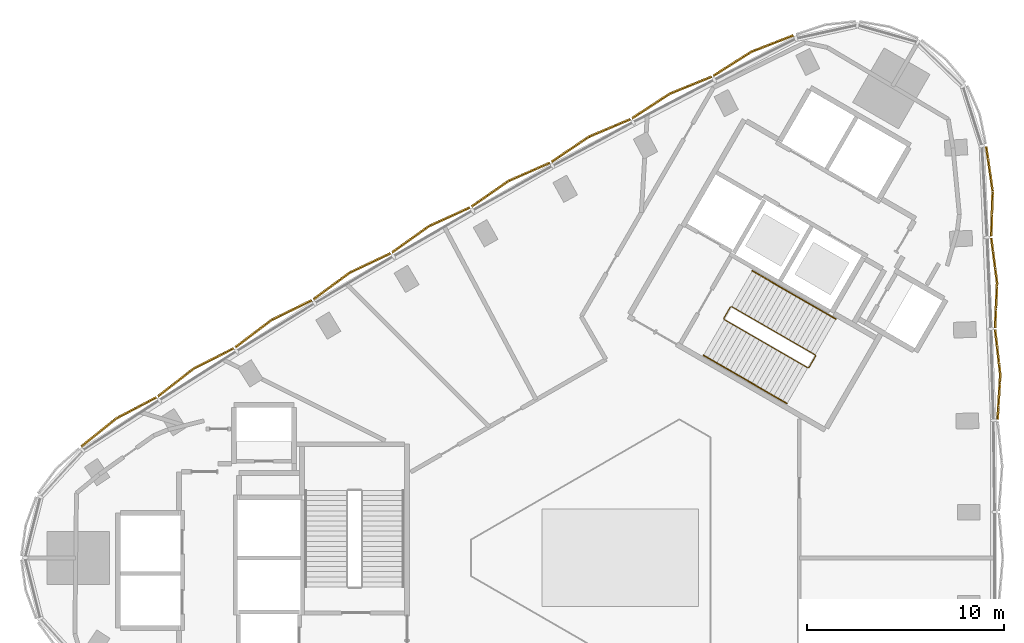
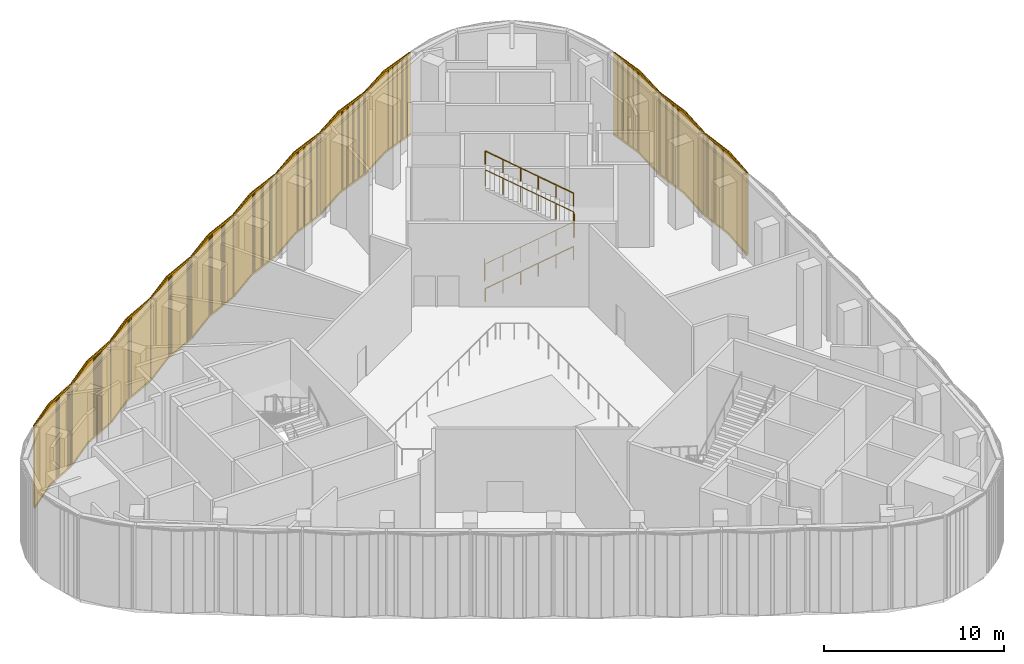
# One storey, part 12 of 14: 12 coverings, 3 railings.
"""IFC4 building model written with IfcOpenShell, lengths in metres."""

from ifc_helpers import new_model, si_unit, direction, frame, frame_2d, origin, origin_2d, place, context, subcontext, project, spatial, rectangle, circle, extrude, source, transform, mapped, material, type_object, element, save


model = new_model("IFC4")

# Units and contexts
model_context = context("Model", 3, precision=1e-05, world=origin(), true_north=direction((0.0, 1.0)))
body_context = subcontext(model_context, "Body", "Model", "MODEL_VIEW")
ifc_project = project(units=[si_unit("LENGTHUNIT", "METRE"), si_unit("AREAUNIT", "SQUARE_METRE"), si_unit("VOLUMEUNIT", "CUBIC_METRE"), si_unit("PLANEANGLEUNIT", "RADIAN"), si_unit("MASSUNIT", "GRAM", prefix="KILO")], contexts=[model_context])

# Site, building, storey
site_placement = place(None, origin())
site = spatial("IfcSite", under=ifc_project, at=site_placement, CompositionType="ELEMENT")
building_placement = place(site_placement, origin())
building = spatial("IfcBuilding", under=site, at=building_placement, Name="Tamra Quay Hotel Tower", CompositionType="ELEMENT")
storey_placement = place(building_placement, frame((0.0, 0.0, 169.60009765625)))
storey = spatial("IfcBuildingStorey", under=building, at=storey_placement, Name="L42", CompositionType="ELEMENT", Elevation=169.60009765625)

# Railings
ifc_material_1 = material(Name="Stair guard 1100")
railing_type_1 = type_object("IfcRailingType", Name="Stair guard 1100", PredefinedType="GUARDRAIL", material=ifc_material_1)
railing_1_placement = place(storey_placement, frame((5.595458984375, 12.751953125, 0.0)))
element("IfcRailing", 1, at=railing_1_placement, inside=storey, type_object=railing_type_1, Name="GR", PredefinedType="GUARDRAIL", context=body_context, shape_type="SweptSolid", body=[
    extrude(circle(Radius=0.02392578125, at=origin_2d()), frame((0.0, 0.0, 1.076171875), z_axis=(-0.499765215335, -0.866160914346, 0.0), x_axis=(0.866160914346, -0.499765215335, 0.0)), (0.0, 0.0, 1.0), 0.658935546875),
    extrude(circle(Radius=0.02392578125, at=origin_2d()), frame((-0.329345703125, -0.57080078125, 1.076171875), z_axis=(0.110525977783, -0.411156637351, 0.904839338113), x_axis=(0.965715946433, 0.259601060869, 0.0)), (0.0, 0.0, 1.0), 0.165771484375),
    extrude(circle(Radius=0.02392578125, at=origin_2d()), frame((-0.31103515625, -0.638916015625, 1.22607421875), z_axis=(0.748658094895, -0.432282451849, 0.502635990327), x_axis=(0.500038605048, 0.866003114002, 0.0)), (0.0, 0.0, 1.0), 5.67041015625),
    extrude(circle(Radius=0.02392578125, at=origin_2d()), frame((3.93408203125, -3.090087890625, 4.076171875), z_axis=(0.965948051503, 0.258736085224, 0.0), x_axis=(-0.258736085224, 0.965948051503, 0.0)), (0.0, 0.0, 1.0), 0.07080078125),
    extrude(circle(Radius=0.02392578125, at=origin_2d()), frame((4.00244140625, -3.07177734375, 4.076171875), z_axis=(0.500043078269, 0.866000531106, 0.0), x_axis=(-0.866000531106, 0.500043078269, 0.0)), (0.0, 0.0, 1.0), 0.6591796875),
    extrude(circle(Radius=0.02392578125, at=origin_2d()), frame((4.33203125, -2.5009765625, 4.076171875), z_axis=(-0.110458949641, 0.41238007866, 0.904290601062), x_axis=(-0.965948051503, -0.258736085224, 0.0)), (0.0, 0.0, 1.0), 0.165771484375),
    extrude(circle(Radius=0.02392578125, at=origin_2d()), frame((4.313720703125, -2.4326171875, 4.22607421875), z_axis=(-0.748690951022, 0.432233507235, 0.50262914269), x_axis=(-0.499979686254, -0.866037131614, 0.0)), (0.0, 0.0, 1.0), 5.67041015625),
    extrude(circle(Radius=0.02099609375, at=origin_2d()), origin(), (0.0, 0.0, 1.0), 1.052001953125),
    extrude(circle(Radius=0.02099609375, at=origin_2d()), frame((-0.329345703125, -0.57080078125, 0.0)), (0.0, 0.0, 1.0), 1.052001953125),
    extrude(circle(Radius=0.02099609375, at=origin_2d()), frame((-0.31103515625, -0.638916015625, 0.14990234375)), (0.0, 0.0, 1.0), 1.052001953125),
    extrude(circle(Radius=0.02099609375, at=origin_2d()), frame((0.5380859375, -1.129150390625, 0.719970703125)), (0.0, 0.0, 1.0), 1.052001953125),
    extrude(circle(Radius=0.02099609375, at=origin_2d()), frame((1.386962890625, -1.619384765625, 1.2900390625)), (0.0, 0.0, 1.0), 1.052001953125),
    extrude(circle(Radius=0.02099609375, at=origin_2d()), frame((2.236083984375, -2.109619140625, 1.85986328125)), (0.0, 0.0, 1.0), 1.052001953125),
    extrude(circle(Radius=0.02099609375, at=origin_2d()), frame((3.0849609375, -2.599853515625, 2.429931640625)), (0.0, 0.0, 1.0), 1.052001953125),
    extrude(circle(Radius=0.02099609375, at=origin_2d()), frame((3.93408203125, -3.090087890625, 3.0)), (0.0, 0.0, 1.0), 1.052001953125),
    extrude(circle(Radius=0.02099609375, at=origin_2d()), frame((4.00244140625, -3.07177734375, 3.0)), (0.0, 0.0, 1.0), 1.052001953125),
    extrude(circle(Radius=0.02099609375, at=origin_2d()), frame((4.33203125, -2.5009765625, 3.0)), (0.0, 0.0, 1.0), 1.052001953125),
    extrude(circle(Radius=0.02099609375, at=origin_2d()), frame((4.313720703125, -2.4326171875, 3.14990234375)), (0.0, 0.0, 1.0), 1.052001953125),
    extrude(circle(Radius=0.02099609375, at=origin_2d()), frame((3.464599609375, -1.9423828125, 3.719970703125)), (0.0, 0.0, 1.0), 1.052001953125),
    extrude(circle(Radius=0.02099609375, at=origin_2d()), frame((2.615478515625, -1.4521484375, 4.2900390625)), (0.0, 0.0, 1.0), 1.052001953125),
    extrude(circle(Radius=0.02099609375, at=origin_2d()), frame((1.7666015625, -0.962158203125, 4.85986328125)), (0.0, 0.0, 1.0), 1.052001953125),
    extrude(circle(Radius=0.02099609375, at=origin_2d()), frame((0.91748046875, -0.471923828125, 5.429931640625)), (0.0, 0.0, 1.0), 1.052001953125),
    extrude(circle(Radius=0.02099609375, at=origin_2d()), frame((0.068359375, 0.018310546875, 6.0)), (0.0, 0.0, 1.0), 1.052001953125),
])
ifc_material_2 = material(Name="Stair handrail 900")
railing_type_2 = type_object("IfcRailingType", Name="Stair handrail 900", PredefinedType="HANDRAIL", material=ifc_material_2)
railing_2_placement = place(storey_placement, frame((4.234375, 10.294189453125, 0.14990234375)))
element("IfcRailing", 2, at=railing_2_placement, inside=storey, type_object=railing_type_2, Name="HR", PredefinedType="HANDRAIL", context=body_context, shape_type="SweptSolid", body=[
    extrude(circle(Radius=0.02392578125, at=origin_2d()), frame((0.0, 0.0, 0.8759765625), z_axis=(0.748672028886, -0.432247440648, 0.502645345365), x_axis=(0.500001252094, 0.866024680886, 0.0)), (0.0, 0.0, 1.0), 5.670166015625),
    extrude(circle(Radius=0.02099609375, at=origin_2d()), origin(), (0.0, 0.0, 1.0), 0.851806640625),
    extrude(circle(Radius=0.02099609375, at=origin_2d()), frame((0.84912109375, -0.490234375, 0.570068359375)), (0.0, 0.0, 1.0), 0.851806640625),
    extrude(circle(Radius=0.02099609375, at=origin_2d()), frame((1.697998046875, -0.98046875, 1.14013671875)), (0.0, 0.0, 1.0), 0.851806640625),
    extrude(circle(Radius=0.02099609375, at=origin_2d()), frame((2.547119140625, -1.470458984375, 1.7099609375)), (0.0, 0.0, 1.0), 0.851806640625),
    extrude(circle(Radius=0.02099609375, at=origin_2d()), frame((3.39599609375, -1.960693359375, 2.280029296875)), (0.0, 0.0, 1.0), 0.851806640625),
    extrude(circle(Radius=0.02099609375, at=origin_2d()), frame((4.2451171875, -2.450927734375, 2.85009765625)), (0.0, 0.0, 1.0), 0.851806640625),
])
railing_3_placement = place(storey_placement, frame((10.958984375, 12.137939453125, 3.14990234375)))
element("IfcRailing", 3, at=railing_3_placement, inside=storey, type_object=railing_type_2, Name="HR", PredefinedType="HANDRAIL", context=body_context, shape_type="SweptSolid", body=[
    extrude(circle(Radius=0.02392578125, at=origin_2d()), frame((0.0, 0.0, 0.8759765625), z_axis=(-0.748672028886, 0.432247440648, 0.502645345365), x_axis=(-0.500001252094, -0.866024680886, 0.0)), (0.0, 0.0, 1.0), 5.670166015625),
    extrude(circle(Radius=0.02099609375, at=origin_2d()), origin(), (0.0, 0.0, 1.0), 0.851806640625),
    extrude(circle(Radius=0.02099609375, at=origin_2d()), frame((-0.84912109375, 0.490234375, 0.570068359375)), (0.0, 0.0, 1.0), 0.851806640625),
    extrude(circle(Radius=0.02099609375, at=origin_2d()), frame((-1.697998046875, 0.98046875, 1.14013671875)), (0.0, 0.0, 1.0), 0.851806640625),
    extrude(circle(Radius=0.02099609375, at=origin_2d()), frame((-2.547119140625, 1.470458984375, 1.7099609375)), (0.0, 0.0, 1.0), 0.851806640625),
    extrude(circle(Radius=0.02099609375, at=origin_2d()), frame((-3.39599609375, 1.960693359375, 2.280029296875)), (0.0, 0.0, 1.0), 0.851806640625),
    extrude(circle(Radius=0.02099609375, at=origin_2d()), frame((-4.2451171875, 2.450927734375, 2.85009765625)), (0.0, 0.0, 1.0), 0.851806640625),
])

# Coverings
ifc_material_3 = material(Name="Terracotta baguette extruded", Category="masonry")
covering_type_1 = type_object("IfcCoveringType", Name="BAGUETTE SCREEN E-SHALLOW H5650", PredefinedType="USERDEFINED", material=ifc_material_3)
shared_shape_1 = source(origin(), body_context, "Body", "SweptSolid", [
    extrude(rectangle(XDim=2.291259765625, YDim=0.06005859375, at=frame_2d((1.1455078125, 0.030029296875))), frame((-2.287841796875, -0.057861328125, -0.1201171875), z_axis=(0.0, 0.0, 1.0), x_axis=(0.996194698092, -0.087155742748, 0.0)), (0.0, 0.0, 1.0), 0.1201171875),
    extrude(rectangle(XDim=2.291259765625, YDim=0.06005859375, at=frame_2d((1.1455078125, 0.030029296875))), frame((-2.287841796875, -0.057861328125, -5.64990234375), z_axis=(0.0, 0.0, 1.0), x_axis=(0.996194698092, -0.087155742748, 0.0)), (0.0, 0.0, 1.0), 0.1201171875),
    extrude(rectangle(XDim=0.094970703125, YDim=0.10009765625, at=frame_2d((0.04736328125, 0.050048828125))), frame((-2.2802734375, -0.13232421875, -5.590087890625)), (0.0, 0.0, 1.0), 5.530029296875),
    extrude(rectangle(XDim=0.094970703125, YDim=0.10009765625, at=frame_2d((0.04736328125, 0.050048828125))), frame((-2.18115234375, -0.14111328125, -5.590087890625)), (0.0, 0.0, 1.0), 5.530029296875),
    extrude(rectangle(XDim=0.094970703125, YDim=0.10009765625, at=frame_2d((0.04736328125, 0.050048828125))), frame((-2.081787109375, -0.149658203125, -5.590087890625)), (0.0, 0.0, 1.0), 5.530029296875),
    extrude(rectangle(XDim=0.094970703125, YDim=0.10009765625, at=frame_2d((0.04736328125, 0.050048828125))), frame((-1.982666015625, -0.158447265625, -5.590087890625)), (0.0, 0.0, 1.0), 5.530029296875),
    extrude(rectangle(XDim=0.094970703125, YDim=0.10009765625, at=frame_2d((0.04736328125, 0.050048828125))), frame((-1.88330078125, -0.1669921875, -5.590087890625)), (0.0, 0.0, 1.0), 5.530029296875),
    extrude(rectangle(XDim=0.094970703125, YDim=0.10009765625, at=frame_2d((0.04736328125, 0.050048828125))), frame((-1.7841796875, -0.17578125, -5.590087890625)), (0.0, 0.0, 1.0), 5.530029296875),
    extrude(rectangle(XDim=0.094970703125, YDim=0.10009765625, at=frame_2d((0.04736328125, 0.050048828125))), frame((-1.68505859375, -0.184326171875, -5.590087890625)), (0.0, 0.0, 1.0), 5.530029296875),
    extrude(rectangle(XDim=0.094970703125, YDim=0.10009765625, at=frame_2d((0.04736328125, 0.050048828125))), frame((-1.585693359375, -0.193115234375, -5.590087890625)), (0.0, 0.0, 1.0), 5.530029296875),
    extrude(rectangle(XDim=0.094970703125, YDim=0.10009765625, at=frame_2d((0.04736328125, 0.050048828125))), frame((-1.486572265625, -0.201904296875, -5.590087890625)), (0.0, 0.0, 1.0), 5.530029296875),
    extrude(rectangle(XDim=0.094970703125, YDim=0.10009765625, at=frame_2d((0.04736328125, 0.050048828125))), frame((-1.38720703125, -0.21044921875, -5.590087890625)), (0.0, 0.0, 1.0), 5.530029296875),
    extrude(rectangle(XDim=0.094970703125, YDim=0.10009765625, at=frame_2d((0.04736328125, 0.050048828125))), frame((-1.2880859375, -0.21923828125, -5.590087890625)), (0.0, 0.0, 1.0), 5.530029296875),
    extrude(rectangle(XDim=0.094970703125, YDim=0.10009765625, at=frame_2d((0.04736328125, 0.050048828125))), frame((-1.188720703125, -0.227783203125, -5.590087890625)), (0.0, 0.0, 1.0), 5.530029296875),
    extrude(rectangle(XDim=0.094970703125, YDim=0.10009765625, at=frame_2d((0.04736328125, 0.050048828125))), frame((-1.089599609375, -0.236572265625, -5.590087890625)), (0.0, 0.0, 1.0), 5.530029296875),
    extrude(rectangle(XDim=0.094970703125, YDim=0.10009765625, at=frame_2d((0.04736328125, 0.050048828125))), frame((-0.990234375, -0.2451171875, -5.590087890625)), (0.0, 0.0, 1.0), 5.530029296875),
    extrude(rectangle(XDim=0.094970703125, YDim=0.10009765625, at=frame_2d((0.04736328125, 0.050048828125))), frame((-0.89111328125, -0.25390625, -5.590087890625)), (0.0, 0.0, 1.0), 5.530029296875),
    extrude(rectangle(XDim=0.094970703125, YDim=0.10009765625, at=frame_2d((0.04736328125, 0.050048828125))), frame((-0.791748046875, -0.2626953125, -5.590087890625)), (0.0, 0.0, 1.0), 5.530029296875),
    extrude(rectangle(XDim=0.094970703125, YDim=0.10009765625, at=frame_2d((0.04736328125, 0.050048828125))), frame((-0.692626953125, -0.271240234375, -5.590087890625)), (0.0, 0.0, 1.0), 5.530029296875),
    extrude(rectangle(XDim=0.094970703125, YDim=0.10009765625, at=frame_2d((0.04736328125, 0.050048828125))), frame((-0.59326171875, -0.280029296875, -5.590087890625)), (0.0, 0.0, 1.0), 5.530029296875),
    extrude(rectangle(XDim=0.094970703125, YDim=0.10009765625, at=frame_2d((0.04736328125, 0.050048828125))), frame((-0.494140625, -0.28857421875, -5.590087890625)), (0.0, 0.0, 1.0), 5.530029296875),
    extrude(rectangle(XDim=0.094970703125, YDim=0.10009765625, at=frame_2d((0.04736328125, 0.050048828125))), frame((-0.394775390625, -0.29736328125, -5.590087890625)), (0.0, 0.0, 1.0), 5.530029296875),
    extrude(rectangle(XDim=0.094970703125, YDim=0.10009765625, at=frame_2d((0.04736328125, 0.050048828125))), frame((-0.295654296875, -0.305908203125, -5.590087890625)), (0.0, 0.0, 1.0), 5.530029296875),
    extrude(rectangle(XDim=0.094970703125, YDim=0.10009765625, at=frame_2d((0.04736328125, 0.050048828125))), frame((-0.1962890625, -0.314697265625, -5.590087890625)), (0.0, 0.0, 1.0), 5.530029296875),
    extrude(rectangle(XDim=0.094970703125, YDim=0.10009765625, at=frame_2d((0.04736328125, 0.050048828125))), frame((-0.09716796875, -0.3232421875, -5.590087890625)), (0.0, 0.0, 1.0), 5.530029296875),
    extrude(rectangle(XDim=2.291259765625, YDim=0.06005859375, at=frame_2d((1.1455078125, 0.030029296875))), frame((0.005126953125, -0.257568359375, -0.1201171875), z_axis=(0.0, 0.0, 1.0), x_axis=(0.996194698092, 0.087155742748, 0.0)), (0.0, 0.0, 1.0), 0.1201171875),
    extrude(rectangle(XDim=2.291259765625, YDim=0.06005859375, at=frame_2d((1.1455078125, 0.030029296875))), frame((0.005126953125, -0.257568359375, -5.64990234375), z_axis=(0.0, 0.0, 1.0), x_axis=(0.996194698092, 0.087155742748, 0.0)), (0.0, 0.0, 1.0), 0.1201171875),
    extrude(rectangle(XDim=0.094970703125, YDim=0.10009765625, at=frame_2d((0.04736328125, 0.050048828125))), frame((0.002197265625, -0.3232421875, -5.590087890625)), (0.0, 0.0, 1.0), 5.530029296875),
    extrude(rectangle(XDim=0.094970703125, YDim=0.10009765625, at=frame_2d((0.04736328125, 0.050048828125))), frame((0.101318359375, -0.314697265625, -5.590087890625)), (0.0, 0.0, 1.0), 5.530029296875),
    extrude(rectangle(XDim=0.094970703125, YDim=0.10009765625, at=frame_2d((0.04736328125, 0.050048828125))), frame((0.20068359375, -0.305908203125, -5.590087890625)), (0.0, 0.0, 1.0), 5.530029296875),
    extrude(rectangle(XDim=0.094970703125, YDim=0.10009765625, at=frame_2d((0.04736328125, 0.050048828125))), frame((0.2998046875, -0.29736328125, -5.590087890625)), (0.0, 0.0, 1.0), 5.530029296875),
    extrude(rectangle(XDim=0.094970703125, YDim=0.10009765625, at=frame_2d((0.04736328125, 0.050048828125))), frame((0.399169921875, -0.28857421875, -5.590087890625)), (0.0, 0.0, 1.0), 5.530029296875),
    extrude(rectangle(XDim=0.094970703125, YDim=0.10009765625, at=frame_2d((0.04736328125, 0.050048828125))), frame((0.498291015625, -0.280029296875, -5.590087890625)), (0.0, 0.0, 1.0), 5.530029296875),
    extrude(rectangle(XDim=0.094970703125, YDim=0.10009765625, at=frame_2d((0.04736328125, 0.050048828125))), frame((0.59765625, -0.271240234375, -5.590087890625)), (0.0, 0.0, 1.0), 5.530029296875),
    extrude(rectangle(XDim=0.094970703125, YDim=0.10009765625, at=frame_2d((0.04736328125, 0.050048828125))), frame((0.69677734375, -0.2626953125, -5.590087890625)), (0.0, 0.0, 1.0), 5.530029296875),
    extrude(rectangle(XDim=0.094970703125, YDim=0.10009765625, at=frame_2d((0.04736328125, 0.050048828125))), frame((0.796142578125, -0.25390625, -5.590087890625)), (0.0, 0.0, 1.0), 5.530029296875),
    extrude(rectangle(XDim=0.094970703125, YDim=0.10009765625, at=frame_2d((0.04736328125, 0.050048828125))), frame((0.895263671875, -0.2451171875, -5.590087890625)), (0.0, 0.0, 1.0), 5.530029296875),
    extrude(rectangle(XDim=0.094970703125, YDim=0.10009765625, at=frame_2d((0.04736328125, 0.050048828125))), frame((0.99462890625, -0.236572265625, -5.590087890625)), (0.0, 0.0, 1.0), 5.530029296875),
    extrude(rectangle(XDim=0.094970703125, YDim=0.10009765625, at=frame_2d((0.04736328125, 0.050048828125))), frame((1.09375, -0.227783203125, -5.590087890625)), (0.0, 0.0, 1.0), 5.530029296875),
    extrude(rectangle(XDim=0.094970703125, YDim=0.10009765625, at=frame_2d((0.04736328125, 0.050048828125))), frame((1.19287109375, -0.21923828125, -5.590087890625)), (0.0, 0.0, 1.0), 5.530029296875),
    extrude(rectangle(XDim=0.094970703125, YDim=0.10009765625, at=frame_2d((0.04736328125, 0.050048828125))), frame((1.292236328125, -0.21044921875, -5.590087890625)), (0.0, 0.0, 1.0), 5.530029296875),
    extrude(rectangle(XDim=0.094970703125, YDim=0.10009765625, at=frame_2d((0.04736328125, 0.050048828125))), frame((1.391357421875, -0.201904296875, -5.590087890625)), (0.0, 0.0, 1.0), 5.530029296875),
    extrude(rectangle(XDim=0.094970703125, YDim=0.10009765625, at=frame_2d((0.04736328125, 0.050048828125))), frame((1.49072265625, -0.193115234375, -5.590087890625)), (0.0, 0.0, 1.0), 5.530029296875),
    extrude(rectangle(XDim=0.094970703125, YDim=0.10009765625, at=frame_2d((0.04736328125, 0.050048828125))), frame((1.58984375, -0.184326171875, -5.590087890625)), (0.0, 0.0, 1.0), 5.530029296875),
    extrude(rectangle(XDim=0.094970703125, YDim=0.10009765625, at=frame_2d((0.04736328125, 0.050048828125))), frame((1.689208984375, -0.17578125, -5.590087890625)), (0.0, 0.0, 1.0), 5.530029296875),
    extrude(rectangle(XDim=0.094970703125, YDim=0.10009765625, at=frame_2d((0.04736328125, 0.050048828125))), frame((1.788330078125, -0.1669921875, -5.590087890625)), (0.0, 0.0, 1.0), 5.530029296875),
    extrude(rectangle(XDim=0.094970703125, YDim=0.10009765625, at=frame_2d((0.04736328125, 0.050048828125))), frame((1.8876953125, -0.158447265625, -5.590087890625)), (0.0, 0.0, 1.0), 5.530029296875),
    extrude(rectangle(XDim=0.094970703125, YDim=0.10009765625, at=frame_2d((0.04736328125, 0.050048828125))), frame((1.98681640625, -0.149658203125, -5.590087890625)), (0.0, 0.0, 1.0), 5.530029296875),
    extrude(rectangle(XDim=0.094970703125, YDim=0.10009765625, at=frame_2d((0.04736328125, 0.050048828125))), frame((2.086181640625, -0.14111328125, -5.590087890625)), (0.0, 0.0, 1.0), 5.530029296875),
    extrude(rectangle(XDim=0.094970703125, YDim=0.10009765625, at=frame_2d((0.04736328125, 0.050048828125))), frame((2.185302734375, -0.13232421875, -5.590087890625)), (0.0, 0.0, 1.0), 5.530029296875),
])
for number, where, z_axis, x_axis, name in (
    (4, (19.05615234375, 9.314697265625, 5.64990234375), (0.0, 0.0, 1.0), (-0.027753727156, 0.999614791122, 0.0), "Baguette screen L42.E.f06"),
    (5, (18.89453125, 13.9697265625, 5.64990234375), (0.0, 0.0, 1.0), (-0.041600060094, 0.999134342819, 0.0), "Baguette screen L42.E.f07"),
    (6, (18.668701171875, 18.6220703125, 5.64990234375), (0.0, 0.0, 1.0), (-0.055417205068, 0.998463285946, 0.0), "Baguette screen L42.E.f08"),
):
    element("IfcCovering", number, at=place(storey_placement, frame(where, z_axis=z_axis, x_axis=x_axis)), inside=storey, type_object=covering_type_1, Name=name, ObjectType="BAGUETTE SCREEN", PredefinedType="USERDEFINED", context=body_context, shape_type="MappedRepresentation", body=[
        mapped(shared_shape_1, transform((0.0, 0.0, 0.0), scale=1.0)),
    ])
covering_type_2 = type_object("IfcCoveringType", Name="BAGUETTE SCREEN NW-SHALLOW H5650", PredefinedType="USERDEFINED", material=ifc_material_3)
shared_shape_2 = source(origin(), body_context, "Body", "SweptSolid", [
    extrude(rectangle(XDim=2.29296875, YDim=0.06005859375, at=frame_2d((1.146484375, 0.030029296875))), frame((-2.288330078125, -0.0576171875, -0.1201171875), z_axis=(0.0, 0.0, 1.0), x_axis=(0.995396198367, -0.09584575252, 0.0)), (0.0, 0.0, 1.0), 0.1201171875),
    extrude(rectangle(XDim=2.29296875, YDim=0.06005859375, at=frame_2d((1.146484375, 0.030029296875))), frame((-2.288330078125, -0.0576171875, -5.64990234375), z_axis=(0.0, 0.0, 1.0), x_axis=(0.995396198367, -0.09584575252, 0.0)), (0.0, 0.0, 1.0), 0.1201171875),
    extrude(rectangle(XDim=0.094970703125, YDim=0.10009765625, at=frame_2d((0.04736328125, 0.050048828125))), frame((-2.2802734375, -0.1328125, -5.590087890625)), (0.0, 0.0, 1.0), 5.530029296875),
    extrude(rectangle(XDim=0.094970703125, YDim=0.10009765625, at=frame_2d((0.04736328125, 0.050048828125))), frame((-2.18115234375, -0.142333984375, -5.590087890625)), (0.0, 0.0, 1.0), 5.530029296875),
    extrude(rectangle(XDim=0.094970703125, YDim=0.10009765625, at=frame_2d((0.04736328125, 0.050048828125))), frame((-2.081787109375, -0.15185546875, -5.590087890625)), (0.0, 0.0, 1.0), 5.530029296875),
    extrude(rectangle(XDim=0.094970703125, YDim=0.10009765625, at=frame_2d((0.04736328125, 0.050048828125))), frame((-1.982666015625, -0.161376953125, -5.590087890625)), (0.0, 0.0, 1.0), 5.530029296875),
    extrude(rectangle(XDim=0.094970703125, YDim=0.10009765625, at=frame_2d((0.04736328125, 0.050048828125))), frame((-1.88330078125, -0.1708984375, -5.590087890625)), (0.0, 0.0, 1.0), 5.530029296875),
    extrude(rectangle(XDim=0.094970703125, YDim=0.10009765625, at=frame_2d((0.04736328125, 0.050048828125))), frame((-1.7841796875, -0.1806640625, -5.590087890625)), (0.0, 0.0, 1.0), 5.530029296875),
    extrude(rectangle(XDim=0.094970703125, YDim=0.10009765625, at=frame_2d((0.04736328125, 0.050048828125))), frame((-1.68505859375, -0.190185546875, -5.590087890625)), (0.0, 0.0, 1.0), 5.530029296875),
    extrude(rectangle(XDim=0.094970703125, YDim=0.10009765625, at=frame_2d((0.04736328125, 0.050048828125))), frame((-1.585693359375, -0.19970703125, -5.590087890625)), (0.0, 0.0, 1.0), 5.530029296875),
    extrude(rectangle(XDim=0.094970703125, YDim=0.10009765625, at=frame_2d((0.04736328125, 0.050048828125))), frame((-1.486572265625, -0.209228515625, -5.590087890625)), (0.0, 0.0, 1.0), 5.530029296875),
    extrude(rectangle(XDim=0.094970703125, YDim=0.10009765625, at=frame_2d((0.04736328125, 0.050048828125))), frame((-1.38720703125, -0.21875, -5.590087890625)), (0.0, 0.0, 1.0), 5.530029296875),
    extrude(rectangle(XDim=0.094970703125, YDim=0.10009765625, at=frame_2d((0.04736328125, 0.050048828125))), frame((-1.2880859375, -0.228271484375, -5.590087890625)), (0.0, 0.0, 1.0), 5.530029296875),
    extrude(rectangle(XDim=0.094970703125, YDim=0.10009765625, at=frame_2d((0.04736328125, 0.050048828125))), frame((-1.188720703125, -0.23779296875, -5.590087890625)), (0.0, 0.0, 1.0), 5.530029296875),
    extrude(rectangle(XDim=0.094970703125, YDim=0.10009765625, at=frame_2d((0.04736328125, 0.050048828125))), frame((-1.089599609375, -0.24755859375, -5.590087890625)), (0.0, 0.0, 1.0), 5.530029296875),
    extrude(rectangle(XDim=0.094970703125, YDim=0.10009765625, at=frame_2d((0.04736328125, 0.050048828125))), frame((-0.990234375, -0.257080078125, -5.590087890625)), (0.0, 0.0, 1.0), 5.530029296875),
    extrude(rectangle(XDim=0.094970703125, YDim=0.10009765625, at=frame_2d((0.04736328125, 0.050048828125))), frame((-0.89111328125, -0.2666015625, -5.590087890625)), (0.0, 0.0, 1.0), 5.530029296875),
    extrude(rectangle(XDim=0.094970703125, YDim=0.10009765625, at=frame_2d((0.04736328125, 0.050048828125))), frame((-0.791748046875, -0.276123046875, -5.590087890625)), (0.0, 0.0, 1.0), 5.530029296875),
    extrude(rectangle(XDim=0.094970703125, YDim=0.10009765625, at=frame_2d((0.04736328125, 0.050048828125))), frame((-0.692626953125, -0.28564453125, -5.590087890625)), (0.0, 0.0, 1.0), 5.530029296875),
    extrude(rectangle(XDim=0.094970703125, YDim=0.10009765625, at=frame_2d((0.04736328125, 0.050048828125))), frame((-0.59326171875, -0.295166015625, -5.590087890625)), (0.0, 0.0, 1.0), 5.530029296875),
    extrude(rectangle(XDim=0.094970703125, YDim=0.10009765625, at=frame_2d((0.04736328125, 0.050048828125))), frame((-0.494140625, -0.3046875, -5.590087890625)), (0.0, 0.0, 1.0), 5.530029296875),
    extrude(rectangle(XDim=0.094970703125, YDim=0.10009765625, at=frame_2d((0.04736328125, 0.050048828125))), frame((-0.394775390625, -0.314453125, -5.590087890625)), (0.0, 0.0, 1.0), 5.530029296875),
    extrude(rectangle(XDim=0.094970703125, YDim=0.10009765625, at=frame_2d((0.04736328125, 0.050048828125))), frame((-0.295654296875, -0.323974609375, -5.590087890625)), (0.0, 0.0, 1.0), 5.530029296875),
    extrude(rectangle(XDim=0.094970703125, YDim=0.10009765625, at=frame_2d((0.04736328125, 0.050048828125))), frame((-0.1962890625, -0.33349609375, -5.590087890625)), (0.0, 0.0, 1.0), 5.530029296875),
    extrude(rectangle(XDim=0.094970703125, YDim=0.10009765625, at=frame_2d((0.04736328125, 0.050048828125))), frame((-0.09716796875, -0.343017578125, -5.590087890625)), (0.0, 0.0, 1.0), 5.530029296875),
    extrude(rectangle(XDim=2.29296875, YDim=0.06005859375, at=frame_2d((1.146484375, 0.030029296875))), frame((0.005859375, -0.277587890625, -0.1201171875), z_axis=(0.0, 0.0, 1.0), x_axis=(0.995396198367, 0.09584575252, 0.0)), (0.0, 0.0, 1.0), 0.1201171875),
    extrude(rectangle(XDim=2.29296875, YDim=0.06005859375, at=frame_2d((1.146484375, 0.030029296875))), frame((0.005859375, -0.277587890625, -5.64990234375), z_axis=(0.0, 0.0, 1.0), x_axis=(0.995396198367, 0.09584575252, 0.0)), (0.0, 0.0, 1.0), 0.1201171875),
    extrude(rectangle(XDim=0.094970703125, YDim=0.10009765625, at=frame_2d((0.04736328125, 0.050048828125))), frame((0.002197265625, -0.343017578125, -5.590087890625)), (0.0, 0.0, 1.0), 5.530029296875),
    extrude(rectangle(XDim=0.094970703125, YDim=0.10009765625, at=frame_2d((0.04736328125, 0.050048828125))), frame((0.101318359375, -0.33349609375, -5.590087890625)), (0.0, 0.0, 1.0), 5.530029296875),
    extrude(rectangle(XDim=0.094970703125, YDim=0.10009765625, at=frame_2d((0.04736328125, 0.050048828125))), frame((0.20068359375, -0.323974609375, -5.590087890625)), (0.0, 0.0, 1.0), 5.530029296875),
    extrude(rectangle(XDim=0.094970703125, YDim=0.10009765625, at=frame_2d((0.04736328125, 0.050048828125))), frame((0.2998046875, -0.314453125, -5.590087890625)), (0.0, 0.0, 1.0), 5.530029296875),
    extrude(rectangle(XDim=0.094970703125, YDim=0.10009765625, at=frame_2d((0.04736328125, 0.050048828125))), frame((0.399169921875, -0.3046875, -5.590087890625)), (0.0, 0.0, 1.0), 5.530029296875),
    extrude(rectangle(XDim=0.094970703125, YDim=0.10009765625, at=frame_2d((0.04736328125, 0.050048828125))), frame((0.498291015625, -0.295166015625, -5.590087890625)), (0.0, 0.0, 1.0), 5.530029296875),
    extrude(rectangle(XDim=0.094970703125, YDim=0.10009765625, at=frame_2d((0.04736328125, 0.050048828125))), frame((0.59765625, -0.28564453125, -5.590087890625)), (0.0, 0.0, 1.0), 5.530029296875),
    extrude(rectangle(XDim=0.094970703125, YDim=0.10009765625, at=frame_2d((0.04736328125, 0.050048828125))), frame((0.69677734375, -0.276123046875, -5.590087890625)), (0.0, 0.0, 1.0), 5.530029296875),
    extrude(rectangle(XDim=0.094970703125, YDim=0.10009765625, at=frame_2d((0.04736328125, 0.050048828125))), frame((0.796142578125, -0.2666015625, -5.590087890625)), (0.0, 0.0, 1.0), 5.530029296875),
    extrude(rectangle(XDim=0.094970703125, YDim=0.10009765625, at=frame_2d((0.04736328125, 0.050048828125))), frame((0.895263671875, -0.257080078125, -5.590087890625)), (0.0, 0.0, 1.0), 5.530029296875),
    extrude(rectangle(XDim=0.094970703125, YDim=0.10009765625, at=frame_2d((0.04736328125, 0.050048828125))), frame((0.99462890625, -0.24755859375, -5.590087890625)), (0.0, 0.0, 1.0), 5.530029296875),
    extrude(rectangle(XDim=0.094970703125, YDim=0.10009765625, at=frame_2d((0.04736328125, 0.050048828125))), frame((1.09375, -0.23779296875, -5.590087890625)), (0.0, 0.0, 1.0), 5.530029296875),
    extrude(rectangle(XDim=0.094970703125, YDim=0.10009765625, at=frame_2d((0.04736328125, 0.050048828125))), frame((1.19287109375, -0.228271484375, -5.590087890625)), (0.0, 0.0, 1.0), 5.530029296875),
    extrude(rectangle(XDim=0.094970703125, YDim=0.10009765625, at=frame_2d((0.04736328125, 0.050048828125))), frame((1.292236328125, -0.21875, -5.590087890625)), (0.0, 0.0, 1.0), 5.530029296875),
    extrude(rectangle(XDim=0.094970703125, YDim=0.10009765625, at=frame_2d((0.04736328125, 0.050048828125))), frame((1.391357421875, -0.209228515625, -5.590087890625)), (0.0, 0.0, 1.0), 5.530029296875),
    extrude(rectangle(XDim=0.094970703125, YDim=0.10009765625, at=frame_2d((0.04736328125, 0.050048828125))), frame((1.49072265625, -0.19970703125, -5.590087890625)), (0.0, 0.0, 1.0), 5.530029296875),
    extrude(rectangle(XDim=0.094970703125, YDim=0.10009765625, at=frame_2d((0.04736328125, 0.050048828125))), frame((1.58984375, -0.190185546875, -5.590087890625)), (0.0, 0.0, 1.0), 5.530029296875),
    extrude(rectangle(XDim=0.094970703125, YDim=0.10009765625, at=frame_2d((0.04736328125, 0.050048828125))), frame((1.689208984375, -0.1806640625, -5.590087890625)), (0.0, 0.0, 1.0), 5.530029296875),
    extrude(rectangle(XDim=0.094970703125, YDim=0.10009765625, at=frame_2d((0.04736328125, 0.050048828125))), frame((1.788330078125, -0.1708984375, -5.590087890625)), (0.0, 0.0, 1.0), 5.530029296875),
    extrude(rectangle(XDim=0.094970703125, YDim=0.10009765625, at=frame_2d((0.04736328125, 0.050048828125))), frame((1.8876953125, -0.161376953125, -5.590087890625)), (0.0, 0.0, 1.0), 5.530029296875),
    extrude(rectangle(XDim=0.094970703125, YDim=0.10009765625, at=frame_2d((0.04736328125, 0.050048828125))), frame((1.98681640625, -0.15185546875, -5.590087890625)), (0.0, 0.0, 1.0), 5.530029296875),
    extrude(rectangle(XDim=0.094970703125, YDim=0.10009765625, at=frame_2d((0.04736328125, 0.050048828125))), frame((2.086181640625, -0.142333984375, -5.590087890625)), (0.0, 0.0, 1.0), 5.530029296875),
    extrude(rectangle(XDim=0.094970703125, YDim=0.10009765625, at=frame_2d((0.04736328125, 0.050048828125))), frame((2.185302734375, -0.1328125, -5.590087890625)), (0.0, 0.0, 1.0), 5.530029296875),
])
for number, where, z_axis, x_axis, name in (
    (7, (6.792724609375, 25.478515625, 5.64990234375), (0.0, 0.0, 1.0), (-0.892403172909, -0.451238935578, 0.0), "Baguette screen L42.NW.f00"),
    (8, (2.650634765625, 23.34814453125, 5.64990234375), (0.0, 0.0, 1.0), (-0.886075752722, -0.463540462569, 0.0), "Baguette screen L42.NW.f01"),
    (9, (-1.46142578125, 21.160400390625, 5.64990234375), (0.0, 0.0, 1.0), (-0.879568666688, -0.475771962794, 0.0), "Baguette screen L42.NW.f02"),
    (10, (-5.542724609375, 18.916015625, 5.64990234375), (0.0, 0.0, 1.0), (-0.872884825446, -0.487926307454, 0.0), "Baguette screen L42.NW.f03"),
    (11, (-9.5927734375, 16.615234375, 5.64990234375), (0.0, 0.0, 1.0), (-0.866025403784, -0.5, 0.0), "Baguette screen L42.NW.f04"),
    (12, (-13.610595703125, 14.258056640625, 5.64990234375), (0.0, 0.0, 1.0), (-0.858998990153, -0.511977279688, 0.0), "Baguette screen L42.NW.f05"),
    (13, (-17.594970703125, 11.845703125, 5.64990234375), (0.0, 0.0, 1.0), (-0.851814939532, -0.523842828328, 0.0), "Baguette screen L42.NW.f06"),
    (14, (-21.54541015625, 9.37841796875, 5.64990234375), (0.0, 0.0, 1.0), (-0.844475692628, -0.53559388025, 0.0), "Baguette screen L42.NW.f07"),
    (15, (-25.46142578125, 6.8564453125, 5.64990234375), (0.0, 0.0, 1.0), (-0.836985967842, -0.547224350369, 0.0), "Baguette screen L42.NW.f08"),
):
    element("IfcCovering", number, at=place(storey_placement, frame(where, z_axis=z_axis, x_axis=x_axis)), inside=storey, type_object=covering_type_2, Name=name, ObjectType="BAGUETTE SCREEN", PredefinedType="USERDEFINED", context=body_context, shape_type="MappedRepresentation", body=[
        mapped(shared_shape_2, transform((0.0, 0.0, 0.0), scale=1.0)),
    ])

save(model, "model.ifc")
